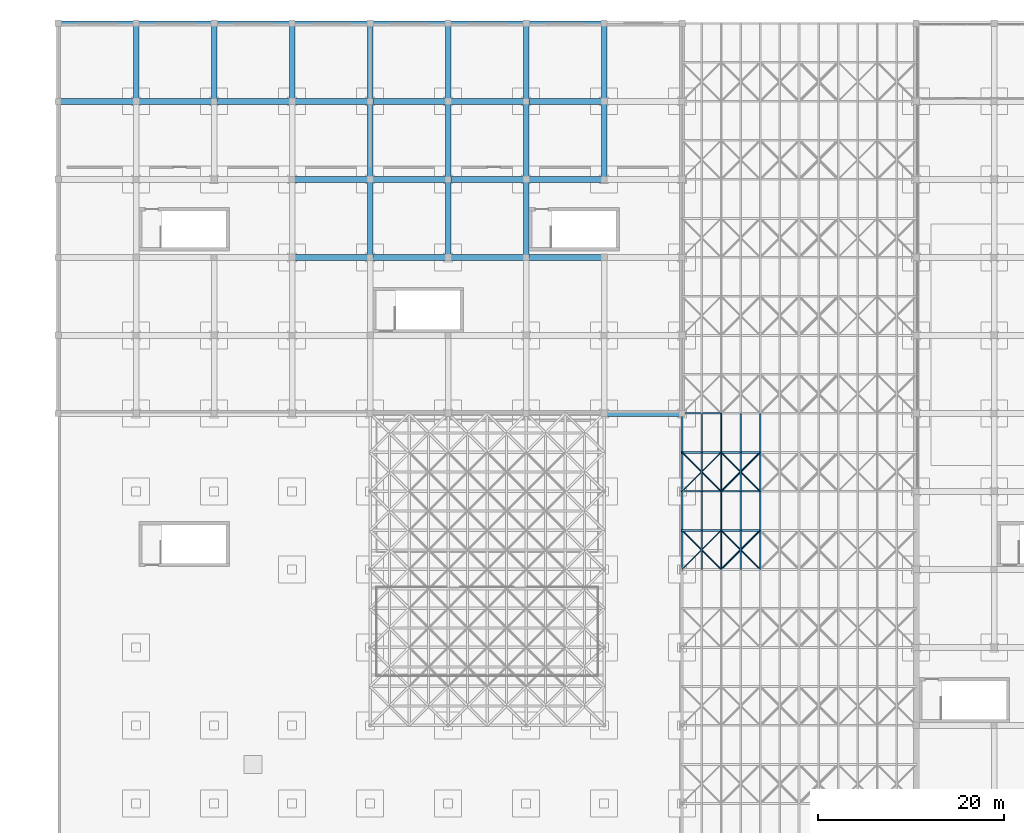
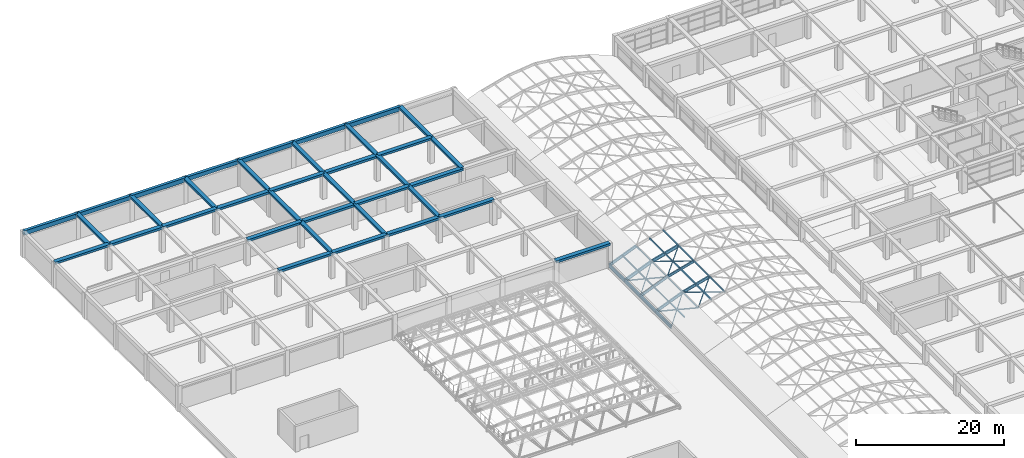
# One storey, part 26 of 85: 39 beams, 31 members.
"""IFC4 building model written with IfcOpenShell, lengths in metres."""

from ifc_helpers import new_model, si_unit, direction, frame, origin, origin_2d, place, context, subcontext, project, spatial, rectangle, hollow_rectangle, hollow_circle, i_section, extrude, material, material_profile, profile_set, type_object, element, save


model = new_model("IFC4")

# Units and contexts
model_context = context("Model", 3, precision=1e-05, world=origin(), true_north=direction((0.0, 1.0)))
body_context = subcontext(model_context, "Body", "Model", "MODEL_VIEW")
ifc_project = project(units=[si_unit("LENGTHUNIT", "METRE"), si_unit("AREAUNIT", "SQUARE_METRE"), si_unit("VOLUMEUNIT", "CUBIC_METRE"), si_unit("PLANEANGLEUNIT", "RADIAN"), si_unit("MASSUNIT", "GRAM", prefix="KILO")], contexts=[model_context])

# Site, building, storey
site_placement = place(None, origin())
site = spatial("IfcSite", under=ifc_project, at=site_placement, CompositionType="ELEMENT")
building_placement = place(site_placement, origin())
building = spatial("IfcBuilding", under=site, at=building_placement, Name="Almacenes y Pasaje Nevantli", CompositionType="ELEMENT")
storey_placement = place(building_placement, frame((0.0, 0.0, 22.199951171875)))
storey = spatial("IfcBuildingStorey", under=building, at=storey_placement, Name="L05", CompositionType="ELEMENT", Elevation=22.199951171875)

# Beams
ifc_material_1 = material(Name="Concrete C35/45", Category="concrete")
ifc_material_profile_1 = material_profile(ifc_material_1, rectangle(XDim=0.449951171875, YDim=0.64990234375, at=origin_2d()), Name="RC-BM-450x650")
ifc_profile_set_1 = profile_set([ifc_material_profile_1], Name="Concrete C35/45")
beam_type_1 = type_object("IfcBeamType", Name="BM-RC-450x650", PredefinedType="SPANDREL", material=ifc_profile_set_1)
for number, where, z_axis, x_axis, name in (
    (1, (8.39990234375, 117.60009765625, 3.89501953125), (1.0, 0.0, 0.0), (0.0, 1.0, 0.0), "L05 East-West Reinforced Concrete Beam #3406"),
    (2, (25.199951171875, 117.60009765625, 3.89501953125), (1.0, 0.0, 0.0), (0.0, 1.0, 0.0), "L05 East-West Reinforced Concrete Beam #3408"),
):
    element("IfcBeam", number, at=place(storey_placement, frame(where, z_axis=z_axis, x_axis=x_axis)), inside=storey, type_object=beam_type_1, Name=name, PredefinedType="SPANDREL", context=body_context, shape_type="SweptSolid", body=[
        extrude(rectangle(XDim=0.449951171875, YDim=0.64990234375, at=origin_2d()), origin(), (0.0, 0.0, 1.0), 8.400146484375),
    ])
beam_1_placement = place(storey_placement, frame((42.0, 117.60009765625, 3.89501953125), z_axis=(1.0, 0.0, 0.0), x_axis=(0.0, 1.0, 0.0)))
element("IfcBeam", 3, at=beam_1_placement, inside=storey, type_object=beam_type_1, Name="L05 East-West Reinforced Concrete Beam #3410", PredefinedType="SPANDREL", context=body_context, shape_type="SweptSolid", body=[
    extrude(rectangle(XDim=0.449951171875, YDim=0.64990234375, at=origin_2d()), origin(), (0.0, 0.0, 1.0), 8.39990234375),
])
ifc_material_2 = material(Name="Concrete C35/45", Category="concrete")
ifc_material_profile_2 = material_profile(ifc_material_2, rectangle(XDim=0.449951171875, YDim=0.699951171875, at=origin_2d()), Name="RC-BM-450x700")
ifc_profile_set_2 = profile_set([ifc_material_profile_2], Name="Concrete C35/45")
beam_type_2 = type_object("IfcBeamType", Name="BM-RC-450x700", PredefinedType="SPANDREL", material=ifc_profile_set_2)
for number, where, z_axis, x_axis, name in (
    (4, (0.0, 117.60009765625, 3.8701171875), (1.0, 0.0, 0.0), (0.0, 1.0, 0.0), "L05 East-West Reinforced Concrete Beam #3405"),
    (5, (16.800048828125, 117.60009765625, 3.8701171875), (1.0, 0.0, 0.0), (0.0, 1.0, 0.0), "L05 East-West Reinforced Concrete Beam #3407"),
    (6, (33.60009765625, 117.60009765625, 3.8701171875), (1.0, 0.0, 0.0), (0.0, 1.0, 0.0), "L05 East-West Reinforced Concrete Beam #3409"),
):
    element("IfcBeam", number, at=place(storey_placement, frame(where, z_axis=z_axis, x_axis=x_axis)), inside=storey, type_object=beam_type_2, Name=name, PredefinedType="SPANDREL", context=body_context, shape_type="SweptSolid", body=[
        extrude(rectangle(XDim=0.449951171875, YDim=0.699951171875, at=origin_2d()), origin(), (0.0, 0.0, 1.0), 8.39990234375),
    ])
beam_2_placement = place(storey_placement, frame((50.39990234375, 117.60009765625, 3.8701171875), z_axis=(1.0, 0.0, 0.0), x_axis=(0.0, 1.0, 0.0)))
element("IfcBeam", 7, at=beam_2_placement, inside=storey, type_object=beam_type_2, Name="L05 East-West Reinforced Concrete Beam #3411", PredefinedType="SPANDREL", context=body_context, shape_type="SweptSolid", body=[
    extrude(rectangle(XDim=0.449951171875, YDim=0.699951171875, at=origin_2d()), origin(), (0.0, 0.0, 1.0), 8.400146484375),
])
ifc_material_3 = material(Name="Concrete C35/45", Category="concrete")
ifc_material_profile_3 = material_profile(ifc_material_3, rectangle(XDim=0.60009765625, YDim=0.320068359375, at=origin_2d()), Name="RC-BM-600x320")
ifc_profile_set_3 = profile_set([ifc_material_profile_3], Name="Concrete C35/45")
beam_type_3 = type_object("IfcBeamType", Name="BM-RC-600x320", PredefinedType="BEAM", material=ifc_profile_set_3)
for number, where, z_axis, x_axis, name in (
    (8, (16.800048828125, 109.199951171875, 4.06005859375), (0.0, 1.0, 0.0), (-1.0, 0.0, 0.0), "L05 North-South Reinforced Concrete Beam #3435"),
    (9, (33.60009765625, 92.39990234375, 4.06005859375), (0.0, 1.0, 0.0), (-1.0, 0.0, 0.0), "L05 North-South Reinforced Concrete Beam #3443"),
    (10, (33.60009765625, 109.199951171875, 4.06005859375), (0.0, 1.0, 0.0), (-1.0, 0.0, 0.0), "L05 North-South Reinforced Concrete Beam #3445"),
):
    element("IfcBeam", number, at=place(storey_placement, frame(where, z_axis=z_axis, x_axis=x_axis)), inside=storey, type_object=beam_type_3, Name=name, PredefinedType="BEAM", context=body_context, shape_type="SweptSolid", body=[
        extrude(rectangle(XDim=0.60009765625, YDim=0.320068359375, at=origin_2d()), origin(), (0.0, 0.0, 1.0), 8.400146484375),
    ])
beam_3_placement = place(storey_placement, frame((42.0, 100.800048828125, 4.06005859375), z_axis=(0.0, 1.0, 0.0), x_axis=(-1.0, 0.0, 0.0)))
element("IfcBeam", 11, at=beam_3_placement, inside=storey, type_object=beam_type_3, Name="L05 North-South Reinforced Concrete Beam #3448", PredefinedType="BEAM", context=body_context, shape_type="SweptSolid", body=[
    extrude(rectangle(XDim=0.60009765625, YDim=0.320068359375, at=origin_2d()), origin(), (0.0, 0.0, 1.0), 8.39990234375),
])
for number, where, z_axis, x_axis, name in (
    (12, (50.39990234375, 92.39990234375, 4.06005859375), (0.0, 1.0, 0.0), (-1.0, 0.0, 0.0), "L05 North-South Reinforced Concrete Beam #3452"),
    (13, (50.39990234375, 109.199951171875, 4.06005859375), (0.0, 1.0, 0.0), (-1.0, 0.0, 0.0), "L05 North-South Reinforced Concrete Beam #3454"),
):
    element("IfcBeam", number, at=place(storey_placement, frame(where, z_axis=z_axis, x_axis=x_axis)), inside=storey, type_object=beam_type_3, Name=name, PredefinedType="BEAM", context=body_context, shape_type="SweptSolid", body=[
        extrude(rectangle(XDim=0.60009765625, YDim=0.320068359375, at=origin_2d()), origin(), (0.0, 0.0, 1.0), 8.400146484375),
    ])
beam_4_placement = place(storey_placement, frame((58.800048828125, 100.800048828125, 4.06005859375), z_axis=(0.0, 1.0, 0.0), x_axis=(-1.0, 0.0, 0.0)))
element("IfcBeam", 14, at=beam_4_placement, inside=storey, type_object=beam_type_3, Name="L05 North-South Reinforced Concrete Beam #3457", PredefinedType="BEAM", context=body_context, shape_type="SweptSolid", body=[
    extrude(rectangle(XDim=0.60009765625, YDim=0.320068359375, at=origin_2d()), origin(), (0.0, 0.0, 1.0), 8.39990234375),
])
ifc_material_4 = material(Name="Concrete C35/45", Category="concrete")
ifc_material_profile_4 = material_profile(ifc_material_4, rectangle(XDim=0.60009765625, YDim=0.340087890625, at=origin_2d()), Name="RC-BM-600x340")
ifc_profile_set_4 = profile_set([ifc_material_profile_4], Name="Concrete C35/45")
beam_type_4 = type_object("IfcBeamType", Name="BM-RC-600x340", PredefinedType="BEAM", material=ifc_profile_set_4)
for number, where, z_axis, x_axis, name in (
    (15, (8.39990234375, 109.199951171875, 4.050048828125), (0.0, 1.0, 0.0), (-1.0, 0.0, 0.0), "L05 North-South Reinforced Concrete Beam #3431"),
    (16, (25.199951171875, 109.199951171875, 4.050048828125), (0.0, 1.0, 0.0), (-1.0, 0.0, 0.0), "L05 North-South Reinforced Concrete Beam #3440"),
):
    element("IfcBeam", number, at=place(storey_placement, frame(where, z_axis=z_axis, x_axis=x_axis)), inside=storey, type_object=beam_type_4, Name=name, PredefinedType="BEAM", context=body_context, shape_type="SweptSolid", body=[
        extrude(rectangle(XDim=0.60009765625, YDim=0.340087890625, at=origin_2d()), origin(), (0.0, 0.0, 1.0), 8.400146484375),
    ])
beam_5_placement = place(storey_placement, frame((33.60009765625, 100.800048828125, 4.050048828125), z_axis=(0.0, 1.0, 0.0), x_axis=(-1.0, 0.0, 0.0)))
element("IfcBeam", 17, at=beam_5_placement, inside=storey, type_object=beam_type_4, Name="L05 North-South Reinforced Concrete Beam #3444", PredefinedType="BEAM", context=body_context, shape_type="SweptSolid", body=[
    extrude(rectangle(XDim=0.60009765625, YDim=0.340087890625, at=origin_2d()), origin(), (0.0, 0.0, 1.0), 8.39990234375),
])
for number, where, z_axis, x_axis, name in (
    (18, (42.0, 92.39990234375, 4.050048828125), (0.0, 1.0, 0.0), (-1.0, 0.0, 0.0), "L05 North-South Reinforced Concrete Beam #3447"),
    (19, (42.0, 109.199951171875, 4.050048828125), (0.0, 1.0, 0.0), (-1.0, 0.0, 0.0), "L05 North-South Reinforced Concrete Beam #3449"),
):
    element("IfcBeam", number, at=place(storey_placement, frame(where, z_axis=z_axis, x_axis=x_axis)), inside=storey, type_object=beam_type_4, Name=name, PredefinedType="BEAM", context=body_context, shape_type="SweptSolid", body=[
        extrude(rectangle(XDim=0.60009765625, YDim=0.340087890625, at=origin_2d()), origin(), (0.0, 0.0, 1.0), 8.400146484375),
    ])
beam_6_placement = place(storey_placement, frame((50.39990234375, 100.800048828125, 4.050048828125), z_axis=(0.0, 1.0, 0.0), x_axis=(-1.0, 0.0, 0.0)))
element("IfcBeam", 20, at=beam_6_placement, inside=storey, type_object=beam_type_4, Name="L05 North-South Reinforced Concrete Beam #3453", PredefinedType="BEAM", context=body_context, shape_type="SweptSolid", body=[
    extrude(rectangle(XDim=0.60009765625, YDim=0.340087890625, at=origin_2d()), origin(), (0.0, 0.0, 1.0), 8.39990234375),
])
beam_7_placement = place(storey_placement, frame((58.800048828125, 109.199951171875, 4.050048828125), z_axis=(0.0, 1.0, 0.0), x_axis=(-1.0, 0.0, 0.0)))
element("IfcBeam", 21, at=beam_7_placement, inside=storey, type_object=beam_type_4, Name="L05 North-South Reinforced Concrete Beam #3458", PredefinedType="BEAM", context=body_context, shape_type="SweptSolid", body=[
    extrude(rectangle(XDim=0.60009765625, YDim=0.340087890625, at=origin_2d()), origin(), (0.0, 0.0, 1.0), 8.400146484375),
])
ifc_material_5 = material(Name="Concrete C35/45", Category="concrete")
ifc_material_profile_5 = material_profile(ifc_material_5, rectangle(XDim=0.64990234375, YDim=0.35009765625, at=origin_2d()), Name="RC-BM-650x350")
ifc_profile_set_5 = profile_set([ifc_material_profile_5], Name="Concrete C35/45")
beam_type_5 = type_object("IfcBeamType", Name="BM-RC-650x350", PredefinedType="BEAM", material=ifc_profile_set_5)
beam_8_placement = place(storey_placement, frame((33.60009765625, 92.39990234375, 4.045166015625), z_axis=(1.0, 0.0, 0.0), x_axis=(0.0, 1.0, 0.0)))
element("IfcBeam", 22, at=beam_8_placement, inside=storey, type_object=beam_type_5, Name="L05 East-West Reinforced Concrete Beam #3358", PredefinedType="BEAM", context=body_context, shape_type="SweptSolid", body=[
    extrude(rectangle(XDim=0.64990234375, YDim=0.35009765625, at=origin_2d()), origin(), (0.0, 0.0, 1.0), 8.39990234375),
])
for number, where, z_axis, x_axis, name in (
    (23, (50.39990234375, 92.39990234375, 4.045166015625), (1.0, 0.0, 0.0), (0.0, 1.0, 0.0), "L05 East-West Reinforced Concrete Beam #3360"),
    (24, (25.199951171875, 100.800048828125, 4.045166015625), (1.0, 0.0, 0.0), (0.0, 1.0, 0.0), "L05 East-West Reinforced Concrete Beam #3374"),
):
    element("IfcBeam", number, at=place(storey_placement, frame(where, z_axis=z_axis, x_axis=x_axis)), inside=storey, type_object=beam_type_5, Name=name, PredefinedType="BEAM", context=body_context, shape_type="SweptSolid", body=[
        extrude(rectangle(XDim=0.64990234375, YDim=0.35009765625, at=origin_2d()), origin(), (0.0, 0.0, 1.0), 8.400146484375),
    ])
for number, where, z_axis, x_axis, name in (
    (25, (42.0, 100.800048828125, 4.045166015625), (1.0, 0.0, 0.0), (0.0, 1.0, 0.0), "L05 East-West Reinforced Concrete Beam #3376"),
    (26, (0.0, 109.199951171875, 4.045166015625), (1.0, 0.0, 0.0), (0.0, 1.0, 0.0), "L05 East-West Reinforced Concrete Beam #3388"),
    (27, (16.800048828125, 109.199951171875, 4.045166015625), (1.0, 0.0, 0.0), (0.0, 1.0, 0.0), "L05 East-West Reinforced Concrete Beam #3390"),
    (28, (33.60009765625, 109.199951171875, 4.045166015625), (1.0, 0.0, 0.0), (0.0, 1.0, 0.0), "L05 East-West Reinforced Concrete Beam #3392"),
):
    element("IfcBeam", number, at=place(storey_placement, frame(where, z_axis=z_axis, x_axis=x_axis)), inside=storey, type_object=beam_type_5, Name=name, PredefinedType="BEAM", context=body_context, shape_type="SweptSolid", body=[
        extrude(rectangle(XDim=0.64990234375, YDim=0.35009765625, at=origin_2d()), origin(), (0.0, 0.0, 1.0), 8.39990234375),
    ])
beam_9_placement = place(storey_placement, frame((50.39990234375, 109.199951171875, 4.045166015625), z_axis=(1.0, 0.0, 0.0), x_axis=(0.0, 1.0, 0.0)))
element("IfcBeam", 29, at=beam_9_placement, inside=storey, type_object=beam_type_5, Name="L05 East-West Reinforced Concrete Beam #3394", PredefinedType="BEAM", context=body_context, shape_type="SweptSolid", body=[
    extrude(rectangle(XDim=0.64990234375, YDim=0.35009765625, at=origin_2d()), origin(), (0.0, 0.0, 1.0), 8.400146484375),
])
ifc_material_6 = material(Name="Concrete C35/45", Category="concrete")
ifc_material_profile_6 = material_profile(ifc_material_6, rectangle(XDim=0.64990234375, YDim=0.3798828125, at=origin_2d()), Name="RC-BM-650x380")
ifc_profile_set_6 = profile_set([ifc_material_profile_6], Name="Concrete C35/45")
beam_type_6 = type_object("IfcBeamType", Name="BM-RC-650x380", PredefinedType="BEAM", material=ifc_profile_set_6)
beam_10_placement = place(storey_placement, frame((58.800048828125, 75.60009765625, 4.030029296875), z_axis=(1.0, 0.0, 0.0), x_axis=(0.0, 1.0, 0.0)))
element("IfcBeam", 30, at=beam_10_placement, inside=storey, type_object=beam_type_6, Name="L05 East-West Reinforced Concrete Beam #3327", PredefinedType="BEAM", context=body_context, shape_type="SweptSolid", body=[
    extrude(rectangle(XDim=0.64990234375, YDim=0.3798828125, at=origin_2d()), origin(), (0.0, 0.0, 1.0), 8.39990234375),
])
beam_11_placement = place(storey_placement, frame((25.199951171875, 92.39990234375, 4.030029296875), z_axis=(1.0, 0.0, 0.0), x_axis=(0.0, 1.0, 0.0)))
element("IfcBeam", 31, at=beam_11_placement, inside=storey, type_object=beam_type_6, Name="L05 East-West Reinforced Concrete Beam #3357", PredefinedType="BEAM", context=body_context, shape_type="SweptSolid", body=[
    extrude(rectangle(XDim=0.64990234375, YDim=0.3798828125, at=origin_2d()), origin(), (0.0, 0.0, 1.0), 8.400146484375),
])
for number, where, z_axis, x_axis, name in (
    (32, (42.0, 92.39990234375, 4.030029296875), (1.0, 0.0, 0.0), (0.0, 1.0, 0.0), "L05 East-West Reinforced Concrete Beam #3359"),
    (33, (33.60009765625, 100.800048828125, 4.030029296875), (1.0, 0.0, 0.0), (0.0, 1.0, 0.0), "L05 East-West Reinforced Concrete Beam #3375"),
):
    element("IfcBeam", number, at=place(storey_placement, frame(where, z_axis=z_axis, x_axis=x_axis)), inside=storey, type_object=beam_type_6, Name=name, PredefinedType="BEAM", context=body_context, shape_type="SweptSolid", body=[
        extrude(rectangle(XDim=0.64990234375, YDim=0.3798828125, at=origin_2d()), origin(), (0.0, 0.0, 1.0), 8.39990234375),
    ])
for number, where, z_axis, x_axis, name in (
    (34, (50.39990234375, 100.800048828125, 4.030029296875), (1.0, 0.0, 0.0), (0.0, 1.0, 0.0), "L05 East-West Reinforced Concrete Beam #3377"),
    (35, (8.39990234375, 109.199951171875, 4.030029296875), (1.0, 0.0, 0.0), (0.0, 1.0, 0.0), "L05 East-West Reinforced Concrete Beam #3389"),
    (36, (25.199951171875, 109.199951171875, 4.030029296875), (1.0, 0.0, 0.0), (0.0, 1.0, 0.0), "L05 East-West Reinforced Concrete Beam #3391"),
):
    element("IfcBeam", number, at=place(storey_placement, frame(where, z_axis=z_axis, x_axis=x_axis)), inside=storey, type_object=beam_type_6, Name=name, PredefinedType="BEAM", context=body_context, shape_type="SweptSolid", body=[
        extrude(rectangle(XDim=0.64990234375, YDim=0.3798828125, at=origin_2d()), origin(), (0.0, 0.0, 1.0), 8.400146484375),
    ])
beam_12_placement = place(storey_placement, frame((42.0, 109.199951171875, 4.030029296875), z_axis=(1.0, 0.0, 0.0), x_axis=(0.0, 1.0, 0.0)))
element("IfcBeam", 37, at=beam_12_placement, inside=storey, type_object=beam_type_6, Name="L05 East-West Reinforced Concrete Beam #3393", PredefinedType="BEAM", context=body_context, shape_type="SweptSolid", body=[
    extrude(rectangle(XDim=0.64990234375, YDim=0.3798828125, at=origin_2d()), origin(), (0.0, 0.0, 1.0), 8.39990234375),
])
ifc_material_7 = material(Name="Steel ASTM A992", Category="steel")
ifc_material_profile_7 = material_profile(ifc_material_7, i_section(OverallWidth=0.208984375, OverallDepth=0.532958984375, WebThickness=0.01025390625, FlangeThickness=0.015625, at=origin_2d()), Name="IR 533x92.5")
ifc_profile_set_7 = profile_set([ifc_material_profile_7], Name="Steel ASTM A992")
beam_type_7 = type_object("IfcBeamType", Name="BM-STL-IR-533x92p5", PredefinedType="BEAM", material=ifc_profile_set_7)
beam_13_placement = place(storey_placement, frame((67.199951171875, 58.800048828125, 0.400146484375), z_axis=(0.0, 1.0, 0.0), x_axis=(-1.0, 0.0, 0.0)))
element("IfcBeam", 38, at=beam_13_placement, inside=storey, type_object=beam_type_7, Name="L05 Arcade Barrel Vault Eave Steel Girder #1.8", PredefinedType="BEAM", context=body_context, shape_type="SweptSolid", body=[
    extrude(i_section(OverallWidth=0.208984375, OverallDepth=0.532958984375, WebThickness=0.01025390625, FlangeThickness=0.015625, at=origin_2d()), origin(), (0.0, 0.0, 1.0), 8.39990234375),
])
beam_14_placement = place(storey_placement, frame((67.199951171875, 67.199951171875, 0.400146484375), z_axis=(0.0, 1.0, 0.0), x_axis=(-1.0, 0.0, 0.0)))
element("IfcBeam", 39, at=beam_14_placement, inside=storey, type_object=beam_type_7, Name="L05 Arcade Barrel Vault Eave Steel Girder #1.9", PredefinedType="BEAM", context=body_context, shape_type="SweptSolid", body=[
    extrude(i_section(OverallWidth=0.208984375, OverallDepth=0.532958984375, WebThickness=0.01025390625, FlangeThickness=0.015625, at=origin_2d()), origin(), (0.0, 0.0, 1.0), 8.400146484375),
])

# Members
ifc_material_8 = material(Name="Steel ASTM A992", Category="steel")
ifc_material_profile_8 = material_profile(ifc_material_8, i_section(OverallWidth=0.180908203125, OverallDepth=0.406005859375, WebThickness=0.010986328125, FlangeThickness=0.018310546875, at=origin_2d()), Name="IR 406x85.0")
ifc_profile_set_8 = profile_set([ifc_material_profile_8], Name="Steel ASTM A992")
member_type_1 = type_object("IfcMemberType", Name="MBR-ARCH-IR406x85", PredefinedType="USERDEFINED", material=ifc_profile_set_8)
member_1_placement = place(storey_placement, frame((67.199951171875, 67.199951171875, 0.400146484375), z_axis=(0.926949044115, 0.0, 0.375187246072), x_axis=(0.0, 1.0, 0.0)))
element("IfcMember", 40, at=member_1_placement, inside=storey, type_object=member_type_1, Name="Arcade Barrel Vault Steel Arch Rib 17.1", ObjectType="ARCH RIB", PredefinedType="USERDEFINED", context=body_context, shape_type="SweptSolid", body=[
    extrude(i_section(OverallWidth=0.180908203125, OverallDepth=0.406005859375, WebThickness=0.010986328125, FlangeThickness=0.018310546875, at=origin_2d()), origin(), (0.0, 0.0, 1.0), 4.531005859375),
])
member_2_placement = place(storey_placement, frame((71.39990234375, 67.199951171875, 2.10009765625), z_axis=(0.964507199401, 0.0, 0.264056551336), x_axis=(0.0, 1.0, 0.0)))
element("IfcMember", 41, at=member_2_placement, inside=storey, type_object=member_type_1, Name="Arcade Barrel Vault Steel Arch Rib 17.2", ObjectType="ARCH RIB", PredefinedType="USERDEFINED", context=body_context, shape_type="SweptSolid", body=[
    extrude(i_section(OverallWidth=0.180908203125, OverallDepth=0.406005859375, WebThickness=0.010986328125, FlangeThickness=0.018310546875, at=origin_2d()), origin(), (0.0, 0.0, 1.0), 4.354736328125),
])
ifc_material_9 = material(Name="Steel ASTM A992", Category="steel")
ifc_material_profile_9 = material_profile(ifc_material_9, i_section(OverallWidth=0.193115234375, OverallDepth=0.4599609375, WebThickness=0.011474609375, FlangeThickness=0.01904296875, at=origin_2d()), Name="IR 457x96.7")
ifc_profile_set_9 = profile_set([ifc_material_profile_9], Name="Steel ASTM A992")
member_type_2 = type_object("IfcMemberType", Name="MBR-ARCH-IR457x96", PredefinedType="USERDEFINED", material=ifc_profile_set_9)
member_3_placement = place(storey_placement, frame((67.199951171875, 63.0, 0.400146484375), z_axis=(0.926949044115, 0.0, 0.375187246072), x_axis=(0.0, 1.0, 0.0)))
element("IfcMember", 42, at=member_3_placement, inside=storey, type_object=member_type_2, Name="Arcade Barrel Vault Steel Arch Rib 16.1", ObjectType="ARCH RIB", PredefinedType="USERDEFINED", context=body_context, shape_type="SweptSolid", body=[
    extrude(i_section(OverallWidth=0.193115234375, OverallDepth=0.4599609375, WebThickness=0.011474609375, FlangeThickness=0.01904296875, at=origin_2d()), origin(), (0.0, 0.0, 1.0), 4.531005859375),
])
member_4_placement = place(storey_placement, frame((71.39990234375, 63.0, 2.10009765625), z_axis=(0.964507199401, 0.0, 0.264056551336), x_axis=(0.0, 1.0, 0.0)))
element("IfcMember", 43, at=member_4_placement, inside=storey, type_object=member_type_2, Name="Arcade Barrel Vault Steel Arch Rib 16.2", ObjectType="ARCH RIB", PredefinedType="USERDEFINED", context=body_context, shape_type="SweptSolid", body=[
    extrude(i_section(OverallWidth=0.193115234375, OverallDepth=0.4599609375, WebThickness=0.011474609375, FlangeThickness=0.01904296875, at=origin_2d()), origin(), (0.0, 0.0, 1.0), 4.354736328125),
])
member_5_placement = place(storey_placement, frame((67.199951171875, 75.60009765625, 0.400146484375), z_axis=(0.926949044115, 0.0, 0.375187246072), x_axis=(0.0, 1.0, 0.0)))
element("IfcMember", 44, at=member_5_placement, inside=storey, type_object=member_type_2, Name="Arcade Barrel Vault Steel Arch Rib 19.1", ObjectType="ARCH RIB", PredefinedType="USERDEFINED", context=body_context, shape_type="SweptSolid", body=[
    extrude(i_section(OverallWidth=0.193115234375, OverallDepth=0.4599609375, WebThickness=0.011474609375, FlangeThickness=0.01904296875, at=origin_2d()), origin(), (0.0, 0.0, 1.0), 4.531005859375),
])
ifc_material_10 = material(Name="Steel ASTM A992", Category="steel")
ifc_material_profile_10 = material_profile(ifc_material_10, i_section(OverallWidth=0.208984375, OverallDepth=0.532958984375, WebThickness=0.01025390625, FlangeThickness=0.015625, at=origin_2d()), Name="IR 533x92.5")
ifc_profile_set_10 = profile_set([ifc_material_profile_10], Name="Steel ASTM A992")
member_type_3 = type_object("IfcMemberType", Name="MBR-ARCH-IR533x92", PredefinedType="USERDEFINED", material=ifc_profile_set_10)
member_6_placement = place(storey_placement, frame((67.199951171875, 71.39990234375, 0.400146484375), z_axis=(0.926949044115, 0.0, 0.375187246072), x_axis=(0.0, 1.0, 0.0)))
element("IfcMember", 45, at=member_6_placement, inside=storey, type_object=member_type_3, Name="Arcade Barrel Vault Steel Arch Rib 18.1", ObjectType="ARCH RIB", PredefinedType="USERDEFINED", context=body_context, shape_type="SweptSolid", body=[
    extrude(i_section(OverallWidth=0.208984375, OverallDepth=0.532958984375, WebThickness=0.01025390625, FlangeThickness=0.015625, at=origin_2d()), origin(), (0.0, 0.0, 1.0), 4.531005859375),
])
member_7_placement = place(storey_placement, frame((71.39990234375, 71.39990234375, 2.10009765625), z_axis=(0.964507199401, 0.0, 0.264056551336), x_axis=(0.0, 1.0, 0.0)))
element("IfcMember", 46, at=member_7_placement, inside=storey, type_object=member_type_3, Name="Arcade Barrel Vault Steel Arch Rib 18.2", ObjectType="ARCH RIB", PredefinedType="USERDEFINED", context=body_context, shape_type="SweptSolid", body=[
    extrude(i_section(OverallWidth=0.208984375, OverallDepth=0.532958984375, WebThickness=0.01025390625, FlangeThickness=0.015625, at=origin_2d()), origin(), (0.0, 0.0, 1.0), 4.354736328125),
])
ifc_material_11 = material(Name="Steel ASTM A500 Grade C", Category="steel")
ifc_material_profile_11 = material_profile(ifc_material_11, hollow_circle(Radius=0.070556640625, WallThickness=0.006591796875, at=origin_2d()), Name="OC 141x6.6")
ifc_profile_set_11 = profile_set([ifc_material_profile_11], Name="Steel ASTM A500 Grade C")
member_type_4 = type_object("IfcMemberType", Name="MBR-BRC-OC141", PredefinedType="BRACE", material=ifc_profile_set_11)
for number, where, z_axis, x_axis, name in (
    (47, (67.199951171875, 58.800048828125, 0.400146484375), (0.679811915702, 0.679811915702, 0.275157261468), (-0.707106781187, 0.707106781187, 0.0), "Arcade Barrel Vault Wind Brace 15.1A"),
    (48, (71.39990234375, 58.800048828125, 2.10009765625), (-0.679811915702, 0.679811915702, -0.275157261468), (-0.707106781187, -0.707106781187, 0.0), "Arcade Barrel Vault Wind Brace 15.1B"),
    (49, (67.199951171875, 67.199951171875, 0.400146484375), (0.679811915702, 0.679811915702, 0.275157261468), (-0.707106781187, 0.707106781187, 0.0), "Arcade Barrel Vault Wind Brace 17.1A"),
    (50, (71.39990234375, 67.199951171875, 2.10009765625), (-0.679811915702, 0.679811915702, -0.275157261468), (-0.707106781187, -0.707106781187, 0.0), "Arcade Barrel Vault Wind Brace 17.1B"),
):
    element("IfcMember", number, at=place(storey_placement, frame(where, z_axis=z_axis, x_axis=x_axis)), inside=storey, type_object=member_type_4, Name=name, PredefinedType="BRACE", context=body_context, shape_type="SweptSolid", body=[
        extrude(hollow_circle(Radius=0.070556640625, WallThickness=0.006591796875, at=origin_2d()), origin(), (0.0, 0.0, 1.0), 6.17822265625),
    ])
ifc_material_12 = material(Name="Steel ASTM A500 Grade C", Category="steel")
ifc_material_profile_12 = material_profile(ifc_material_12, hollow_circle(Radius=0.084228515625, WallThickness=0.007080078125, at=origin_2d()), Name="OC 168x7.1")
ifc_profile_set_12 = profile_set([ifc_material_profile_12], Name="Steel ASTM A500 Grade C")
member_type_5 = type_object("IfcMemberType", Name="MBR-BRC-OC168", PredefinedType="BRACE", material=ifc_profile_set_12)
for number, where, z_axis, x_axis, name in (
    (51, (71.39990234375, 58.800048828125, 2.10009765625), (0.694237619642, 0.694197266374, 0.19006389145), (-0.70708622964, 0.707127332136, 0.0), "Arcade Barrel Vault Wind Brace 15.2A"),
    (52, (75.60009765625, 58.800048828125, 3.25), (-0.694237619642, 0.694197266374, -0.19006389145), (-0.70708622964, -0.707127332136, 0.0), "Arcade Barrel Vault Wind Brace 15.2B"),
    (53, (71.39990234375, 67.199951171875, 2.10009765625), (0.694237619642, 0.694197266374, 0.19006389145), (-0.70708622964, 0.707127332136, 0.0), "Arcade Barrel Vault Wind Brace 17.2A"),
    (54, (75.60009765625, 67.199951171875, 3.25), (-0.694237619642, 0.694197266374, -0.19006389145), (-0.70708622964, -0.707127332136, 0.0), "Arcade Barrel Vault Wind Brace 17.2B"),
):
    element("IfcMember", number, at=place(storey_placement, frame(where, z_axis=z_axis, x_axis=x_axis)), inside=storey, type_object=member_type_5, Name=name, PredefinedType="BRACE", context=body_context, shape_type="SweptSolid", body=[
        extrude(hollow_circle(Radius=0.084228515625, WallThickness=0.007080078125, at=origin_2d()), origin(), (0.0, 0.0, 1.0), 6.050048828125),
    ])
ifc_material_13 = material(Name="Steel ASTM A992", Category="steel")
ifc_material_profile_13 = material_profile(ifc_material_13, i_section(OverallWidth=0.134033203125, OverallDepth=0.2099609375, WebThickness=0.00634765625, FlangeThickness=0.01025390625, at=origin_2d()), Name="IR 203x31.3")
ifc_profile_set_13 = profile_set([ifc_material_profile_13], Name="Steel ASTM A992")
member_type_6 = type_object("IfcMemberType", Name="MBR-PUR-IR203x31", PredefinedType="PURLIN", material=ifc_profile_set_13)
for number, where, z_axis, x_axis, name in (
    (55, (69.300048828125, 58.800048828125, 1.25), (0.0, 1.0, 0.0), (-1.0, 0.0, 0.0), "Arcade Barrel Vault Secondary Steel Purlin #160"),
    (56, (69.300048828125, 63.0, 1.25), (0.0, 1.0, 0.0), (-1.0, 0.0, 0.0), "Arcade Barrel Vault Secondary Steel Purlin #171"),
    (57, (69.300048828125, 67.199951171875, 1.25), (0.0, 1.0, 0.0), (-1.0, 0.0, 0.0), "Arcade Barrel Vault Secondary Steel Purlin #182"),
):
    element("IfcMember", number, at=place(storey_placement, frame(where, z_axis=z_axis, x_axis=x_axis)), inside=storey, type_object=member_type_6, Name=name, PredefinedType="PURLIN", context=body_context, shape_type="SweptSolid", body=[
        extrude(i_section(OverallWidth=0.134033203125, OverallDepth=0.2099609375, WebThickness=0.00634765625, FlangeThickness=0.01025390625, at=origin_2d()), origin(), (0.0, 0.0, 1.0), 4.199951171875),
    ])
member_8_placement = place(storey_placement, frame((69.300048828125, 71.39990234375, 1.25), z_axis=(0.0, 1.0, 0.0), x_axis=(-1.0, 0.0, 0.0)))
element("IfcMember", 58, at=member_8_placement, inside=storey, type_object=member_type_6, Name="Arcade Barrel Vault Secondary Steel Purlin #193", PredefinedType="PURLIN", context=body_context, shape_type="SweptSolid", body=[
    extrude(i_section(OverallWidth=0.134033203125, OverallDepth=0.2099609375, WebThickness=0.00634765625, FlangeThickness=0.01025390625, at=origin_2d()), origin(), (0.0, 0.0, 1.0), 4.2001953125),
])
ifc_material_14 = material(Name="Steel ASTM A500 Grade C", Category="steel")
ifc_material_profile_14 = material_profile(ifc_material_14, hollow_rectangle(XDim=0.1015625, YDim=0.203125, WallThickness=0.0078125, at=origin_2d()), Name="OR 203x102x7.9")
ifc_profile_set_14 = profile_set([ifc_material_profile_14], Name="Steel ASTM A500 Grade C")
member_type_7 = type_object("IfcMemberType", Name="MBR-PUR-OR203x102", PredefinedType="PURLIN", material=ifc_profile_set_14)
for number, where, z_axis, x_axis, name in (
    (59, (71.39990234375, 58.800048828125, 2.10009765625), (0.0, 1.0, 0.0), (-1.0, 0.0, 0.0), "Arcade Barrel Vault Steel Purlin #155"),
    (60, (71.39990234375, 63.0, 2.10009765625), (0.0, 1.0, 0.0), (-1.0, 0.0, 0.0), "Arcade Barrel Vault Steel Purlin #166"),
    (61, (71.39990234375, 67.199951171875, 2.10009765625), (0.0, 1.0, 0.0), (-1.0, 0.0, 0.0), "Arcade Barrel Vault Steel Purlin #177"),
):
    element("IfcMember", number, at=place(storey_placement, frame(where, z_axis=z_axis, x_axis=x_axis)), inside=storey, type_object=member_type_7, Name=name, PredefinedType="PURLIN", context=body_context, shape_type="SweptSolid", body=[
        extrude(hollow_rectangle(XDim=0.1015625, YDim=0.203125, WallThickness=0.0078125, at=origin_2d()), origin(), (0.0, 0.0, 1.0), 4.199951171875),
    ])
member_9_placement = place(storey_placement, frame((71.39990234375, 71.39990234375, 2.10009765625), z_axis=(0.0, 1.0, 0.0), x_axis=(-1.0, 0.0, 0.0)))
element("IfcMember", 62, at=member_9_placement, inside=storey, type_object=member_type_7, Name="Arcade Barrel Vault Steel Purlin #188", PredefinedType="PURLIN", context=body_context, shape_type="SweptSolid", body=[
    extrude(hollow_rectangle(XDim=0.1015625, YDim=0.203125, WallThickness=0.0078125, at=origin_2d()), origin(), (0.0, 0.0, 1.0), 4.2001953125),
])
ifc_material_15 = material(Name="Steel ASTM A500 Grade C", Category="steel")
ifc_material_profile_15 = material_profile(ifc_material_15, hollow_rectangle(XDim=0.15234375, YDim=0.203125, WallThickness=0.0078125, at=origin_2d()), Name="OR 203x152x7.9")
ifc_profile_set_15 = profile_set([ifc_material_profile_15], Name="Steel ASTM A500 Grade C")
member_type_8 = type_object("IfcMemberType", Name="MBR-PUR-OR203x152", PredefinedType="PURLIN", material=ifc_profile_set_15)
for number, where, z_axis, x_axis, name in (
    (63, (75.60009765625, 58.800048828125, 3.25), (0.0, 1.0, 0.0), (-1.0, 0.0, 0.0), "Arcade Barrel Vault Steel Purlin #156"),
    (64, (75.60009765625, 63.0, 3.25), (0.0, 1.0, 0.0), (-1.0, 0.0, 0.0), "Arcade Barrel Vault Steel Purlin #167"),
    (65, (75.60009765625, 67.199951171875, 3.25), (0.0, 1.0, 0.0), (-1.0, 0.0, 0.0), "Arcade Barrel Vault Steel Purlin #178"),
):
    element("IfcMember", number, at=place(storey_placement, frame(where, z_axis=z_axis, x_axis=x_axis)), inside=storey, type_object=member_type_8, Name=name, PredefinedType="PURLIN", context=body_context, shape_type="SweptSolid", body=[
        extrude(hollow_rectangle(XDim=0.15234375, YDim=0.203125, WallThickness=0.0078125, at=origin_2d()), origin(), (0.0, 0.0, 1.0), 4.199951171875),
    ])
member_10_placement = place(storey_placement, frame((75.60009765625, 71.39990234375, 3.25), z_axis=(0.0, 1.0, 0.0), x_axis=(-1.0, 0.0, 0.0)))
element("IfcMember", 66, at=member_10_placement, inside=storey, type_object=member_type_8, Name="Arcade Barrel Vault Steel Purlin #189", PredefinedType="PURLIN", context=body_context, shape_type="SweptSolid", body=[
    extrude(hollow_rectangle(XDim=0.15234375, YDim=0.203125, WallThickness=0.0078125, at=origin_2d()), origin(), (0.0, 0.0, 1.0), 4.2001953125),
])
ifc_material_16 = material(Name="Steel ASTM A500 Grade C", Category="steel")
ifc_material_profile_16 = material_profile(ifc_material_16, hollow_rectangle(XDim=0.15234375, YDim=0.25390625, WallThickness=0.009521484375, at=origin_2d()), Name="OR 254x152x9.5")
ifc_profile_set_16 = profile_set([ifc_material_profile_16], Name="Steel ASTM A500 Grade C")
member_type_9 = type_object("IfcMemberType", Name="MBR-PUR-OR254x152", PredefinedType="PURLIN", material=ifc_profile_set_16)
for number, where, z_axis, x_axis, name in (
    (67, (73.5, 58.800048828125, 2.675048828125), (0.0, 1.0, 0.0), (-1.0, 0.0, 0.0), "Arcade Barrel Vault Secondary Steel Purlin #161"),
    (68, (73.5, 63.0, 2.675048828125), (0.0, 1.0, 0.0), (-1.0, 0.0, 0.0), "Arcade Barrel Vault Secondary Steel Purlin #172"),
    (69, (73.5, 67.199951171875, 2.675048828125), (0.0, 1.0, 0.0), (-1.0, 0.0, 0.0), "Arcade Barrel Vault Secondary Steel Purlin #183"),
):
    element("IfcMember", number, at=place(storey_placement, frame(where, z_axis=z_axis, x_axis=x_axis)), inside=storey, type_object=member_type_9, Name=name, PredefinedType="PURLIN", context=body_context, shape_type="SweptSolid", body=[
        extrude(hollow_rectangle(XDim=0.15234375, YDim=0.25390625, WallThickness=0.009521484375, at=origin_2d()), origin(), (0.0, 0.0, 1.0), 4.199951171875),
    ])
member_11_placement = place(storey_placement, frame((73.5, 71.39990234375, 2.675048828125), z_axis=(0.0, 1.0, 0.0), x_axis=(-1.0, 0.0, 0.0)))
element("IfcMember", 70, at=member_11_placement, inside=storey, type_object=member_type_9, Name="Arcade Barrel Vault Secondary Steel Purlin #194", PredefinedType="PURLIN", context=body_context, shape_type="SweptSolid", body=[
    extrude(hollow_rectangle(XDim=0.15234375, YDim=0.25390625, WallThickness=0.009521484375, at=origin_2d()), origin(), (0.0, 0.0, 1.0), 4.2001953125),
])

save(model, "model.ifc")
